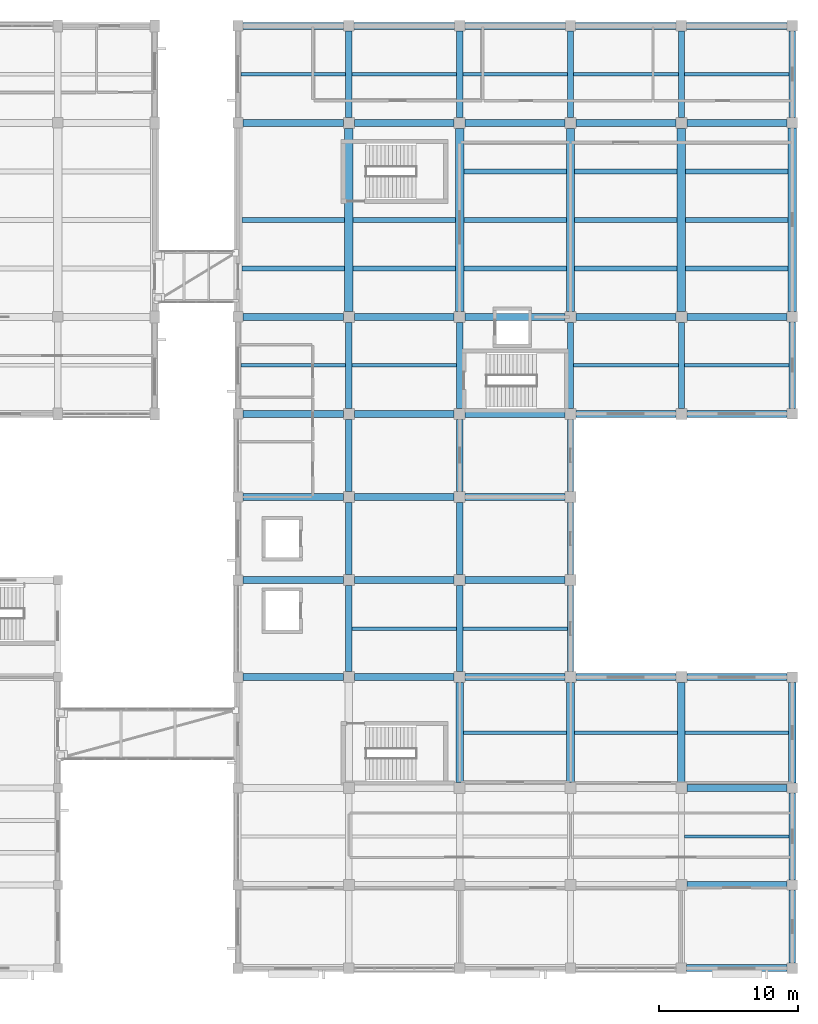
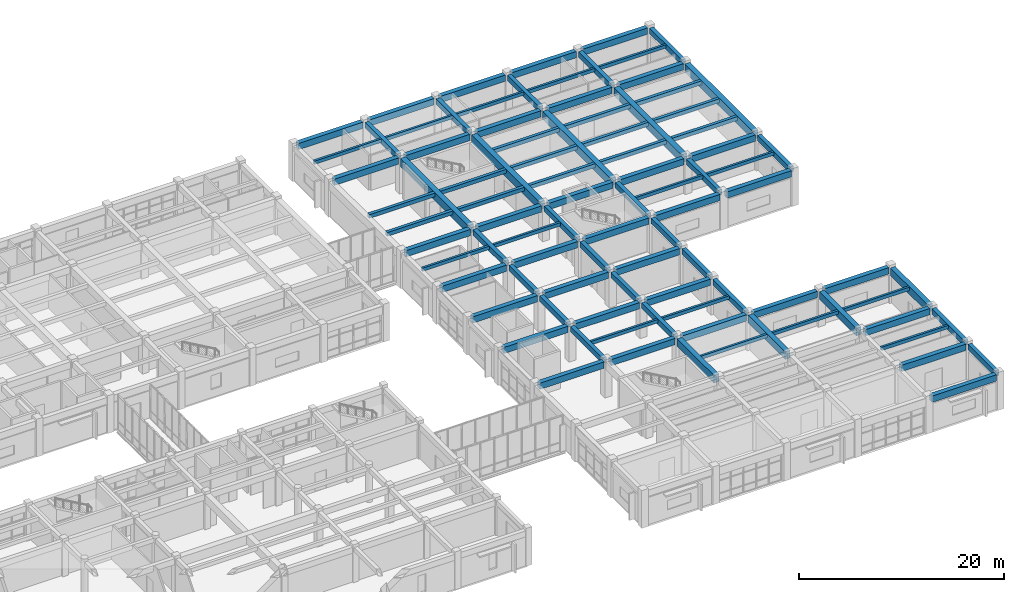
# One storey, part 35 of 70: 92 beams.
"""IFC4 building model written with IfcOpenShell, lengths in metres."""

from ifc_helpers import new_model, si_unit, direction, frame, origin, origin_2d, place, context, subcontext, project, spatial, rectangle, extrude, material, material_profile, profile_set, type_object, element, save


model = new_model("IFC4")

# Units and contexts
model_context = context("Model", 3, precision=1e-05, world=origin(), true_north=direction((0.0, 1.0)))
body_context = subcontext(model_context, "Body", "Model", "MODEL_VIEW")
ifc_project = project(units=[si_unit("LENGTHUNIT", "METRE"), si_unit("AREAUNIT", "SQUARE_METRE"), si_unit("VOLUMEUNIT", "CUBIC_METRE"), si_unit("PLANEANGLEUNIT", "RADIAN"), si_unit("MASSUNIT", "GRAM", prefix="KILO")], contexts=[model_context])

# Site, building, storey
site_placement = place(None, origin())
site = spatial("IfcSite", under=ifc_project, at=site_placement, CompositionType="ELEMENT")
building_placement = place(site_placement, origin())
building = spatial("IfcBuilding", under=site, at=building_placement, Name="Naurynzar Civic Courthouse", CompositionType="ELEMENT")
storey_placement = place(building_placement, frame((0.0, 0.0, 5.39990234375)))
storey = spatial("IfcBuildingStorey", under=building, at=storey_placement, Name="L02", CompositionType="ELEMENT", Elevation=5.39990234375)

# Beams
ifc_material_1 = material(Name="Concrete C40/50", Category="concrete")
ifc_material_profile_1 = material_profile(ifc_material_1, rectangle(XDim=0.25, YDim=0.39990234375, at=origin_2d()), Name="RCB 250x400")
ifc_profile_set_1 = profile_set([ifc_material_profile_1], Name="Concrete C40/50")
beam_type_1 = type_object("IfcBeamType", Name="BM-JST-250x400", PredefinedType="JOIST", material=ifc_profile_set_1)
beam_1_placement = place(storey_placement, frame((162.22509765625, 13.5, 4.0), z_axis=(1.0, 0.0, 0.0), x_axis=(0.0, 1.0, 0.0)))
element("IfcBeam", 1, at=beam_1_placement, inside=storey, type_object=beam_type_1, Name="V5 secondary rib 2349 L02", PredefinedType="JOIST", context=body_context, shape_type="SweptSolid", body=[
    extrude(rectangle(XDim=0.25, YDim=0.39990234375, at=origin_2d()), origin(), (0.0, 0.0, 1.0), 7.5498046875),
])
for number, where, z_axis, x_axis, name in (
    (2, (146.27490234375, 21.0, 4.0), (1.0, 0.0, 0.0), (0.0, 1.0, 0.0), "V5 secondary rib 2350 L02"),
    (3, (154.27490234375, 21.0, 4.0), (1.0, 0.0, 0.0), (0.0, 1.0, 0.0), "V5 secondary rib 2351 L02"),
    (4, (162.27490234375, 21.0, 4.0), (1.0, 0.0, 0.0), (0.0, 1.0, 0.0), "V5 secondary rib 2352 L02"),
):
    element("IfcBeam", number, at=place(storey_placement, frame(where, z_axis=z_axis, x_axis=x_axis)), inside=storey, type_object=beam_type_1, Name=name, PredefinedType="JOIST", context=body_context, shape_type="SweptSolid", body=[
        extrude(rectangle(XDim=0.25, YDim=0.39990234375, at=origin_2d()), origin(), (0.0, 0.0, 1.0), 7.4501953125),
    ])
for number, where, z_axis, x_axis, name in (
    (5, (138.22509765625, 28.5, 4.0), (1.0, 0.0, 0.0), (0.0, 1.0, 0.0), "V5 secondary rib 2353 L02"),
    (6, (146.22509765625, 28.5, 4.0), (1.0, 0.0, 0.0), (0.0, 1.0, 0.0), "V5 secondary rib 2354 L02"),
    (7, (130.22509765625, 47.5, 4.0), (1.0, 0.0, 0.0), (0.0, 1.0, 0.0), "V5 secondary rib 2355 L02"),
    (8, (138.22509765625, 47.5, 4.0), (1.0, 0.0, 0.0), (0.0, 1.0, 0.0), "V5 secondary rib 2356 L02"),
    (9, (154.22509765625, 47.5, 4.0), (1.0, 0.0, 0.0), (0.0, 1.0, 0.0), "V5 secondary rib 2357 L02"),
    (10, (162.22509765625, 47.5, 4.0), (1.0, 0.0, 0.0), (0.0, 1.0, 0.0), "V5 secondary rib 2358 L02"),
    (11, (130.22509765625, 68.5, 4.0), (1.0, 0.0, 0.0), (0.0, 1.0, 0.0), "V5 secondary rib 2372 L02"),
    (12, (138.22509765625, 68.5, 4.0), (1.0, 0.0, 0.0), (0.0, 1.0, 0.0), "V5 secondary rib 2373 L02"),
    (13, (146.22509765625, 68.5, 4.0), (1.0, 0.0, 0.0), (0.0, 1.0, 0.0), "V5 secondary rib 2374 L02"),
    (14, (154.22509765625, 68.5, 4.0), (1.0, 0.0, 0.0), (0.0, 1.0, 0.0), "V5 secondary rib 2375 L02"),
    (15, (162.22509765625, 68.5, 4.0), (1.0, 0.0, 0.0), (0.0, 1.0, 0.0), "V5 secondary rib 2376 L02"),
):
    element("IfcBeam", number, at=place(storey_placement, frame(where, z_axis=z_axis, x_axis=x_axis)), inside=storey, type_object=beam_type_1, Name=name, PredefinedType="JOIST", context=body_context, shape_type="SweptSolid", body=[
        extrude(rectangle(XDim=0.25, YDim=0.39990234375, at=origin_2d()), origin(), (0.0, 0.0, 1.0), 7.5498046875),
    ])
ifc_material_2 = material(Name="Concrete C40/50", Category="concrete")
ifc_material_profile_2 = material_profile(ifc_material_2, rectangle(XDim=0.60009765625, YDim=0.949951171875, at=origin_2d()), Name="PTB 600x950")
ifc_profile_set_2 = profile_set([ifc_material_profile_2], Name="Concrete C40/50")
beam_type_2 = type_object("IfcBeamType", Name="BM-PT-600x950", PredefinedType="T_BEAM", material=ifc_profile_set_2)
for number, where, z_axis, x_axis, name in (
    (16, (138.0, 51.39990234375, 3.72509765625), (0.0, 1.0, 0.0), (-1.0, 0.0, 0.0), "V5 girder Y-2313 L02"),
    (17, (146.0, 51.39990234375, 3.72509765625), (0.0, 1.0, 0.0), (-1.0, 0.0, 0.0), "V5 girder Y-2322 L02"),
    (18, (154.0, 51.39990234375, 3.72509765625), (0.0, 1.0, 0.0), (-1.0, 0.0, 0.0), "V5 girder Y-2331 L02"),
    (19, (162.0, 51.39990234375, 3.72509765625), (0.0, 1.0, 0.0), (-1.0, 0.0, 0.0), "V5 girder Y-2337 L02"),
):
    element("IfcBeam", number, at=place(storey_placement, frame(where, z_axis=z_axis, x_axis=x_axis)), inside=storey, type_object=beam_type_2, Name=name, PredefinedType="T_BEAM", context=body_context, shape_type="SweptSolid", body=[
        extrude(rectangle(XDim=0.60009765625, YDim=0.949951171875, at=origin_2d()), origin(), (0.0, 0.0, 1.0), 13.2001953125),
    ])
beam_2_placement = place(storey_placement, frame((170.0, 51.375, 3.72509765625), z_axis=(0.0, 1.0, 0.0), x_axis=(-1.0, 0.0, 0.0)))
element("IfcBeam", 20, at=beam_2_placement, inside=storey, type_object=beam_type_2, Name="V5 girder Y-2343 L02", PredefinedType="T_BEAM", context=body_context, shape_type="SweptSolid", body=[
    extrude(rectangle(XDim=0.60009765625, YDim=0.949951171875, at=origin_2d()), origin(), (0.0, 0.0, 1.0), 13.25),
])
ifc_material_3 = material(Name="Concrete C40/50", Category="concrete")
ifc_material_profile_3 = material_profile(ifc_material_3, rectangle(XDim=0.35009765625, YDim=0.449951171875, at=origin_2d()), Name="RCB 350x450")
ifc_profile_set_3 = profile_set([ifc_material_profile_3], Name="Concrete C40/50")
beam_type_3 = type_object("IfcBeamType", Name="BM-RC-350x450", PredefinedType="BEAM", material=ifc_profile_set_3)
for number, where, z_axis, x_axis, name in (
    (21, (130.300048828125, 54.5, 3.97509765625), (1.0, 0.0, 0.0), (0.0, 1.0, 0.0), "V5 secondary rib 2359 L02"),
    (22, (130.300048828125, 58.0, 3.97509765625), (1.0, 0.0, 0.0), (0.0, 1.0, 0.0), "V5 secondary rib 2360 L02"),
    (23, (138.300048828125, 54.5, 3.97509765625), (1.0, 0.0, 0.0), (0.0, 1.0, 0.0), "V5 secondary rib 2361 L02"),
    (24, (138.300048828125, 58.0, 3.97509765625), (1.0, 0.0, 0.0), (0.0, 1.0, 0.0), "V5 secondary rib 2362 L02"),
    (25, (146.300048828125, 54.5, 3.97509765625), (1.0, 0.0, 0.0), (0.0, 1.0, 0.0), "V5 secondary rib 2363 L02"),
    (26, (146.300048828125, 58.0, 3.97509765625), (1.0, 0.0, 0.0), (0.0, 1.0, 0.0), "V5 secondary rib 2364 L02"),
    (27, (146.300048828125, 61.5, 3.97509765625), (1.0, 0.0, 0.0), (0.0, 1.0, 0.0), "V5 secondary rib 2365 L02"),
    (28, (154.300048828125, 54.5, 3.97509765625), (1.0, 0.0, 0.0), (0.0, 1.0, 0.0), "V5 secondary rib 2366 L02"),
    (29, (154.300048828125, 58.0, 3.97509765625), (1.0, 0.0, 0.0), (0.0, 1.0, 0.0), "V5 secondary rib 2367 L02"),
    (30, (154.300048828125, 61.5, 3.97509765625), (1.0, 0.0, 0.0), (0.0, 1.0, 0.0), "V5 secondary rib 2368 L02"),
    (31, (162.300048828125, 54.5, 3.97509765625), (1.0, 0.0, 0.0), (0.0, 1.0, 0.0), "V5 secondary rib 2369 L02"),
    (32, (162.300048828125, 58.0, 3.97509765625), (1.0, 0.0, 0.0), (0.0, 1.0, 0.0), "V5 secondary rib 2370 L02"),
    (33, (162.300048828125, 61.5, 3.97509765625), (1.0, 0.0, 0.0), (0.0, 1.0, 0.0), "V5 secondary rib 2371 L02"),
):
    element("IfcBeam", number, at=place(storey_placement, frame(where, z_axis=z_axis, x_axis=x_axis)), inside=storey, type_object=beam_type_3, Name=name, PredefinedType="BEAM", context=body_context, shape_type="SweptSolid", body=[
        extrude(rectangle(XDim=0.35009765625, YDim=0.449951171875, at=origin_2d()), origin(), (0.0, 0.0, 1.0), 7.39990234375),
    ])
ifc_material_4 = material(Name="Concrete C40/50", Category="concrete")
ifc_material_profile_4 = material_profile(ifc_material_4, rectangle(XDim=0.449951171875, YDim=0.64990234375, at=origin_2d()), Name="RCB 450x650")
ifc_profile_set_4 = profile_set([ifc_material_profile_4], Name="Concrete C40/50")
beam_type_4 = type_object("IfcBeamType", Name="BM-RC-450x650", PredefinedType="BEAM", material=ifc_profile_set_4)
beam_3_placement = place(storey_placement, frame((138.0, 25.39990234375, 3.875), z_axis=(0.0, 1.0, 0.0), x_axis=(-1.0, 0.0, 0.0)))
element("IfcBeam", 34, at=beam_3_placement, inside=storey, type_object=beam_type_4, Name="V5 girder Y-2309 L02", PredefinedType="BEAM", context=body_context, shape_type="SweptSolid", body=[
    extrude(rectangle(XDim=0.449951171875, YDim=0.64990234375, at=origin_2d()), origin(), (0.0, 0.0, 1.0), 6.2001953125),
])
for number, where, z_axis, x_axis, name in (
    (35, (138.0, 32.39990234375, 3.875), (0.0, 1.0, 0.0), (-1.0, 0.0, 0.0), "V5 girder Y-2310 L02"),
    (36, (138.0, 38.39990234375, 3.875), (0.0, 1.0, 0.0), (-1.0, 0.0, 0.0), "V5 girder Y-2311 L02"),
):
    element("IfcBeam", number, at=place(storey_placement, frame(where, z_axis=z_axis, x_axis=x_axis)), inside=storey, type_object=beam_type_4, Name=name, PredefinedType="BEAM", context=body_context, shape_type="SweptSolid", body=[
        extrude(rectangle(XDim=0.449951171875, YDim=0.64990234375, at=origin_2d()), origin(), (0.0, 0.0, 1.0), 5.2001953125),
    ])
beam_4_placement = place(storey_placement, frame((138.0, 44.39990234375, 3.875), z_axis=(0.0, 1.0, 0.0), x_axis=(-1.0, 0.0, 0.0)))
element("IfcBeam", 37, at=beam_4_placement, inside=storey, type_object=beam_type_4, Name="V5 girder Y-2312 L02", PredefinedType="BEAM", context=body_context, shape_type="SweptSolid", body=[
    extrude(rectangle(XDim=0.449951171875, YDim=0.64990234375, at=origin_2d()), origin(), (0.0, 0.0, 1.0), 6.2001953125),
])
beam_5_placement = place(storey_placement, frame((138.0, 65.39990234375, 3.875), z_axis=(0.0, 1.0, 0.0), x_axis=(-1.0, 0.0, 0.0)))
element("IfcBeam", 38, at=beam_5_placement, inside=storey, type_object=beam_type_4, Name="V5 girder Y-2314 L02", PredefinedType="BEAM", context=body_context, shape_type="SweptSolid", body=[
    extrude(rectangle(XDim=0.449951171875, YDim=0.64990234375, at=origin_2d()), origin(), (0.0, 0.0, 1.0), 6.22509765625),
])
beam_6_placement = place(storey_placement, frame((146.0, 25.39990234375, 3.875), z_axis=(0.0, 1.0, 0.0), x_axis=(-1.0, 0.0, 0.0)))
element("IfcBeam", 39, at=beam_6_placement, inside=storey, type_object=beam_type_4, Name="V5 girder Y-2318 L02", PredefinedType="BEAM", context=body_context, shape_type="SweptSolid", body=[
    extrude(rectangle(XDim=0.449951171875, YDim=0.64990234375, at=origin_2d()), origin(), (0.0, 0.0, 1.0), 6.2001953125),
])
for number, where, z_axis, x_axis, name in (
    (40, (146.0, 32.39990234375, 3.875), (0.0, 1.0, 0.0), (-1.0, 0.0, 0.0), "V5 girder Y-2319 L02"),
    (41, (146.0, 38.39990234375, 3.875), (0.0, 1.0, 0.0), (-1.0, 0.0, 0.0), "V5 girder Y-2320 L02"),
):
    element("IfcBeam", number, at=place(storey_placement, frame(where, z_axis=z_axis, x_axis=x_axis)), inside=storey, type_object=beam_type_4, Name=name, PredefinedType="BEAM", context=body_context, shape_type="SweptSolid", body=[
        extrude(rectangle(XDim=0.449951171875, YDim=0.64990234375, at=origin_2d()), origin(), (0.0, 0.0, 1.0), 5.2001953125),
    ])
beam_7_placement = place(storey_placement, frame((146.0, 44.39990234375, 3.875), z_axis=(0.0, 1.0, 0.0), x_axis=(-1.0, 0.0, 0.0)))
element("IfcBeam", 42, at=beam_7_placement, inside=storey, type_object=beam_type_4, Name="V5 girder Y-2321 L02", PredefinedType="BEAM", context=body_context, shape_type="SweptSolid", body=[
    extrude(rectangle(XDim=0.449951171875, YDim=0.64990234375, at=origin_2d()), origin(), (0.0, 0.0, 1.0), 6.2001953125),
])
beam_8_placement = place(storey_placement, frame((146.0, 65.39990234375, 3.875), z_axis=(0.0, 1.0, 0.0), x_axis=(-1.0, 0.0, 0.0)))
element("IfcBeam", 43, at=beam_8_placement, inside=storey, type_object=beam_type_4, Name="V5 girder Y-2323 L02", PredefinedType="BEAM", context=body_context, shape_type="SweptSolid", body=[
    extrude(rectangle(XDim=0.449951171875, YDim=0.64990234375, at=origin_2d()), origin(), (0.0, 0.0, 1.0), 6.22509765625),
])
beam_9_placement = place(storey_placement, frame((154.0, 25.39990234375, 3.875), z_axis=(0.0, 1.0, 0.0), x_axis=(-1.0, 0.0, 0.0)))
element("IfcBeam", 44, at=beam_9_placement, inside=storey, type_object=beam_type_4, Name="V5 girder Y-2327 L02", PredefinedType="BEAM", context=body_context, shape_type="SweptSolid", body=[
    extrude(rectangle(XDim=0.449951171875, YDim=0.64990234375, at=origin_2d()), origin(), (0.0, 0.0, 1.0), 6.2001953125),
])
for number, where, z_axis, x_axis, name in (
    (45, (154.0, 32.39990234375, 3.875), (0.0, 1.0, 0.0), (-1.0, 0.0, 0.0), "V5 girder Y-2328 L02"),
    (46, (154.0, 38.39990234375, 3.875), (0.0, 1.0, 0.0), (-1.0, 0.0, 0.0), "V5 girder Y-2329 L02"),
):
    element("IfcBeam", number, at=place(storey_placement, frame(where, z_axis=z_axis, x_axis=x_axis)), inside=storey, type_object=beam_type_4, Name=name, PredefinedType="BEAM", context=body_context, shape_type="SweptSolid", body=[
        extrude(rectangle(XDim=0.449951171875, YDim=0.64990234375, at=origin_2d()), origin(), (0.0, 0.0, 1.0), 5.2001953125),
    ])
beam_10_placement = place(storey_placement, frame((154.0, 44.39990234375, 3.875), z_axis=(0.0, 1.0, 0.0), x_axis=(-1.0, 0.0, 0.0)))
element("IfcBeam", 47, at=beam_10_placement, inside=storey, type_object=beam_type_4, Name="V5 girder Y-2330 L02", PredefinedType="BEAM", context=body_context, shape_type="SweptSolid", body=[
    extrude(rectangle(XDim=0.449951171875, YDim=0.64990234375, at=origin_2d()), origin(), (0.0, 0.0, 1.0), 6.2001953125),
])
beam_11_placement = place(storey_placement, frame((154.0, 65.39990234375, 3.875), z_axis=(0.0, 1.0, 0.0), x_axis=(-1.0, 0.0, 0.0)))
element("IfcBeam", 48, at=beam_11_placement, inside=storey, type_object=beam_type_4, Name="V5 girder Y-2332 L02", PredefinedType="BEAM", context=body_context, shape_type="SweptSolid", body=[
    extrude(rectangle(XDim=0.449951171875, YDim=0.64990234375, at=origin_2d()), origin(), (0.0, 0.0, 1.0), 6.22509765625),
])
beam_12_placement = place(storey_placement, frame((162.0, 44.39990234375, 3.875), z_axis=(0.0, 1.0, 0.0), x_axis=(-1.0, 0.0, 0.0)))
element("IfcBeam", 49, at=beam_12_placement, inside=storey, type_object=beam_type_4, Name="V5 girder Y-2336 L02", PredefinedType="BEAM", context=body_context, shape_type="SweptSolid", body=[
    extrude(rectangle(XDim=0.449951171875, YDim=0.64990234375, at=origin_2d()), origin(), (0.0, 0.0, 1.0), 6.2001953125),
])
beam_13_placement = place(storey_placement, frame((162.0, 65.39990234375, 3.875), z_axis=(0.0, 1.0, 0.0), x_axis=(-1.0, 0.0, 0.0)))
element("IfcBeam", 50, at=beam_13_placement, inside=storey, type_object=beam_type_4, Name="V5 girder Y-2338 L02", PredefinedType="BEAM", context=body_context, shape_type="SweptSolid", body=[
    extrude(rectangle(XDim=0.449951171875, YDim=0.64990234375, at=origin_2d()), origin(), (0.0, 0.0, 1.0), 6.22509765625),
])
beam_14_placement = place(storey_placement, frame((170.0, 4.375, 3.875), z_axis=(0.0, 1.0, 0.0), x_axis=(-1.0, 0.0, 0.0)))
element("IfcBeam", 51, at=beam_14_placement, inside=storey, type_object=beam_type_4, Name="V5 girder Y-2339 L02", PredefinedType="BEAM", context=body_context, shape_type="SweptSolid", body=[
    extrude(rectangle(XDim=0.449951171875, YDim=0.64990234375, at=origin_2d()), origin(), (0.0, 0.0, 1.0), 5.25),
])
for number, where, z_axis, x_axis, name in (
    (52, (170.0, 10.375, 3.875), (0.0, 1.0, 0.0), (-1.0, 0.0, 0.0), "V5 girder Y-2340 L02"),
    (53, (170.0, 44.375, 3.875), (0.0, 1.0, 0.0), (-1.0, 0.0, 0.0), "V5 girder Y-2342 L02"),
    (54, (170.0, 65.375, 3.875), (0.0, 1.0, 0.0), (-1.0, 0.0, 0.0), "V5 girder Y-2344 L02"),
):
    element("IfcBeam", number, at=place(storey_placement, frame(where, z_axis=z_axis, x_axis=x_axis)), inside=storey, type_object=beam_type_4, Name=name, PredefinedType="BEAM", context=body_context, shape_type="SweptSolid", body=[
        extrude(rectangle(XDim=0.449951171875, YDim=0.64990234375, at=origin_2d()), origin(), (0.0, 0.0, 1.0), 6.25),
    ])
ifc_material_5 = material(Name="Concrete C40/50", Category="concrete")
ifc_material_profile_5 = material_profile(ifc_material_5, rectangle(XDim=0.5, YDim=0.75, at=origin_2d()), Name="RCB 500x750")
ifc_profile_set_5 = profile_set([ifc_material_profile_5], Name="Concrete C40/50")
beam_type_5 = type_object("IfcBeamType", Name="BM-RC-500x750", PredefinedType="BEAM", material=ifc_profile_set_5)
beam_15_placement = place(storey_placement, frame((162.375, 4.0, 3.8251953125), z_axis=(1.0, 0.0, 0.0), x_axis=(0.0, 1.0, 0.0)))
element("IfcBeam", 55, at=beam_15_placement, inside=storey, type_object=beam_type_5, Name="V5 beam X-2255 L02", PredefinedType="BEAM", context=body_context, shape_type="SweptSolid", body=[
    extrude(rectangle(XDim=0.5, YDim=0.75, at=origin_2d()), origin(), (0.0, 0.0, 1.0), 7.25),
])
for number, where, z_axis, x_axis, name in (
    (56, (162.39990234375, 10.0, 3.8251953125), (1.0, 0.0, 0.0), (0.0, 1.0, 0.0), "V5 beam X-2260 L02"),
    (57, (162.39990234375, 17.0, 3.8251953125), (1.0, 0.0, 0.0), (0.0, 1.0, 0.0), "V5 beam X-2265 L02"),
    (58, (130.375, 25.0, 3.8251953125), (1.0, 0.0, 0.0), (0.0, 1.0, 0.0), "V5 beam X-2266 L02"),
):
    element("IfcBeam", number, at=place(storey_placement, frame(where, z_axis=z_axis, x_axis=x_axis)), inside=storey, type_object=beam_type_5, Name=name, PredefinedType="BEAM", context=body_context, shape_type="SweptSolid", body=[
        extrude(rectangle(XDim=0.5, YDim=0.75, at=origin_2d()), origin(), (0.0, 0.0, 1.0), 7.22509765625),
    ])
for number, where, z_axis, x_axis, name in (
    (59, (138.39990234375, 25.0, 3.8251953125), (1.0, 0.0, 0.0), (0.0, 1.0, 0.0), "V5 beam X-2267 L02"),
    (60, (146.39990234375, 25.0, 3.8251953125), (1.0, 0.0, 0.0), (0.0, 1.0, 0.0), "V5 beam X-2268 L02"),
    (61, (154.39990234375, 25.0, 3.8251953125), (1.0, 0.0, 0.0), (0.0, 1.0, 0.0), "V5 beam X-2269 L02"),
):
    element("IfcBeam", number, at=place(storey_placement, frame(where, z_axis=z_axis, x_axis=x_axis)), inside=storey, type_object=beam_type_5, Name=name, PredefinedType="BEAM", context=body_context, shape_type="SweptSolid", body=[
        extrude(rectangle(XDim=0.5, YDim=0.75, at=origin_2d()), origin(), (0.0, 0.0, 1.0), 7.2001953125),
    ])
for number, where, z_axis, x_axis, name in (
    (62, (162.39990234375, 25.0, 3.8251953125), (1.0, 0.0, 0.0), (0.0, 1.0, 0.0), "V5 beam X-2270 L02"),
    (63, (130.375, 32.0, 3.8251953125), (1.0, 0.0, 0.0), (0.0, 1.0, 0.0), "V5 beam X-2271 L02"),
):
    element("IfcBeam", number, at=place(storey_placement, frame(where, z_axis=z_axis, x_axis=x_axis)), inside=storey, type_object=beam_type_5, Name=name, PredefinedType="BEAM", context=body_context, shape_type="SweptSolid", body=[
        extrude(rectangle(XDim=0.5, YDim=0.75, at=origin_2d()), origin(), (0.0, 0.0, 1.0), 7.22509765625),
    ])
for number, where, z_axis, x_axis, name in (
    (64, (138.39990234375, 32.0, 3.8251953125), (1.0, 0.0, 0.0), (0.0, 1.0, 0.0), "V5 beam X-2272 L02"),
    (65, (146.39990234375, 32.0, 3.8251953125), (1.0, 0.0, 0.0), (0.0, 1.0, 0.0), "V5 beam X-2273 L02"),
):
    element("IfcBeam", number, at=place(storey_placement, frame(where, z_axis=z_axis, x_axis=x_axis)), inside=storey, type_object=beam_type_5, Name=name, PredefinedType="BEAM", context=body_context, shape_type="SweptSolid", body=[
        extrude(rectangle(XDim=0.5, YDim=0.75, at=origin_2d()), origin(), (0.0, 0.0, 1.0), 7.2001953125),
    ])
beam_16_placement = place(storey_placement, frame((130.375, 38.0, 3.8251953125), z_axis=(1.0, 0.0, 0.0), x_axis=(0.0, 1.0, 0.0)))
element("IfcBeam", 66, at=beam_16_placement, inside=storey, type_object=beam_type_5, Name="V5 beam X-2274 L02", PredefinedType="BEAM", context=body_context, shape_type="SweptSolid", body=[
    extrude(rectangle(XDim=0.5, YDim=0.75, at=origin_2d()), origin(), (0.0, 0.0, 1.0), 7.22509765625),
])
for number, where, z_axis, x_axis, name in (
    (67, (138.39990234375, 38.0, 3.8251953125), (1.0, 0.0, 0.0), (0.0, 1.0, 0.0), "V5 beam X-2275 L02"),
    (68, (146.39990234375, 38.0, 3.8251953125), (1.0, 0.0, 0.0), (0.0, 1.0, 0.0), "V5 beam X-2276 L02"),
):
    element("IfcBeam", number, at=place(storey_placement, frame(where, z_axis=z_axis, x_axis=x_axis)), inside=storey, type_object=beam_type_5, Name=name, PredefinedType="BEAM", context=body_context, shape_type="SweptSolid", body=[
        extrude(rectangle(XDim=0.5, YDim=0.75, at=origin_2d()), origin(), (0.0, 0.0, 1.0), 7.2001953125),
    ])
beam_17_placement = place(storey_placement, frame((130.375, 44.0, 3.8251953125), z_axis=(1.0, 0.0, 0.0), x_axis=(0.0, 1.0, 0.0)))
element("IfcBeam", 69, at=beam_17_placement, inside=storey, type_object=beam_type_5, Name="V5 beam X-2277 L02", PredefinedType="BEAM", context=body_context, shape_type="SweptSolid", body=[
    extrude(rectangle(XDim=0.5, YDim=0.75, at=origin_2d()), origin(), (0.0, 0.0, 1.0), 7.22509765625),
])
for number, where, z_axis, x_axis, name in (
    (70, (138.39990234375, 44.0, 3.8251953125), (1.0, 0.0, 0.0), (0.0, 1.0, 0.0), "V5 beam X-2278 L02"),
    (71, (146.39990234375, 44.0, 3.8251953125), (1.0, 0.0, 0.0), (0.0, 1.0, 0.0), "V5 beam X-2279 L02"),
    (72, (154.39990234375, 44.0, 3.8251953125), (1.0, 0.0, 0.0), (0.0, 1.0, 0.0), "V5 beam X-2280 L02"),
):
    element("IfcBeam", number, at=place(storey_placement, frame(where, z_axis=z_axis, x_axis=x_axis)), inside=storey, type_object=beam_type_5, Name=name, PredefinedType="BEAM", context=body_context, shape_type="SweptSolid", body=[
        extrude(rectangle(XDim=0.5, YDim=0.75, at=origin_2d()), origin(), (0.0, 0.0, 1.0), 7.2001953125),
    ])
for number, where, z_axis, x_axis, name in (
    (73, (162.39990234375, 44.0, 3.8251953125), (1.0, 0.0, 0.0), (0.0, 1.0, 0.0), "V5 beam X-2281 L02"),
    (74, (130.375, 51.0, 3.8251953125), (1.0, 0.0, 0.0), (0.0, 1.0, 0.0), "V5 beam X-2282 L02"),
):
    element("IfcBeam", number, at=place(storey_placement, frame(where, z_axis=z_axis, x_axis=x_axis)), inside=storey, type_object=beam_type_5, Name=name, PredefinedType="BEAM", context=body_context, shape_type="SweptSolid", body=[
        extrude(rectangle(XDim=0.5, YDim=0.75, at=origin_2d()), origin(), (0.0, 0.0, 1.0), 7.22509765625),
    ])
for number, where, z_axis, x_axis, name in (
    (75, (138.39990234375, 51.0, 3.8251953125), (1.0, 0.0, 0.0), (0.0, 1.0, 0.0), "V5 beam X-2283 L02"),
    (76, (146.39990234375, 51.0, 3.8251953125), (1.0, 0.0, 0.0), (0.0, 1.0, 0.0), "V5 beam X-2284 L02"),
    (77, (154.39990234375, 51.0, 3.8251953125), (1.0, 0.0, 0.0), (0.0, 1.0, 0.0), "V5 beam X-2285 L02"),
):
    element("IfcBeam", number, at=place(storey_placement, frame(where, z_axis=z_axis, x_axis=x_axis)), inside=storey, type_object=beam_type_5, Name=name, PredefinedType="BEAM", context=body_context, shape_type="SweptSolid", body=[
        extrude(rectangle(XDim=0.5, YDim=0.75, at=origin_2d()), origin(), (0.0, 0.0, 1.0), 7.2001953125),
    ])
for number, where, z_axis, x_axis, name in (
    (78, (162.39990234375, 51.0, 3.8251953125), (1.0, 0.0, 0.0), (0.0, 1.0, 0.0), "V5 beam X-2286 L02"),
    (79, (130.375, 65.0, 3.8251953125), (1.0, 0.0, 0.0), (0.0, 1.0, 0.0), "V5 beam X-2287 L02"),
):
    element("IfcBeam", number, at=place(storey_placement, frame(where, z_axis=z_axis, x_axis=x_axis)), inside=storey, type_object=beam_type_5, Name=name, PredefinedType="BEAM", context=body_context, shape_type="SweptSolid", body=[
        extrude(rectangle(XDim=0.5, YDim=0.75, at=origin_2d()), origin(), (0.0, 0.0, 1.0), 7.22509765625),
    ])
for number, where, z_axis, x_axis, name in (
    (80, (138.39990234375, 65.0, 3.8251953125), (1.0, 0.0, 0.0), (0.0, 1.0, 0.0), "V5 beam X-2288 L02"),
    (81, (146.39990234375, 65.0, 3.8251953125), (1.0, 0.0, 0.0), (0.0, 1.0, 0.0), "V5 beam X-2289 L02"),
    (82, (154.39990234375, 65.0, 3.8251953125), (1.0, 0.0, 0.0), (0.0, 1.0, 0.0), "V5 beam X-2290 L02"),
):
    element("IfcBeam", number, at=place(storey_placement, frame(where, z_axis=z_axis, x_axis=x_axis)), inside=storey, type_object=beam_type_5, Name=name, PredefinedType="BEAM", context=body_context, shape_type="SweptSolid", body=[
        extrude(rectangle(XDim=0.5, YDim=0.75, at=origin_2d()), origin(), (0.0, 0.0, 1.0), 7.2001953125),
    ])
beam_18_placement = place(storey_placement, frame((162.39990234375, 65.0, 3.8251953125), z_axis=(1.0, 0.0, 0.0), x_axis=(0.0, 1.0, 0.0)))
element("IfcBeam", 83, at=beam_18_placement, inside=storey, type_object=beam_type_5, Name="V5 beam X-2291 L02", PredefinedType="BEAM", context=body_context, shape_type="SweptSolid", body=[
    extrude(rectangle(XDim=0.5, YDim=0.75, at=origin_2d()), origin(), (0.0, 0.0, 1.0), 7.22509765625),
])
for number, where, z_axis, x_axis, name in (
    (84, (130.375, 72.0, 3.8251953125), (1.0, 0.0, 0.0), (0.0, 1.0, 0.0), "V5 beam X-2292 L02"),
    (85, (138.375, 72.0, 3.8251953125), (1.0, 0.0, 0.0), (0.0, 1.0, 0.0), "V5 beam X-2293 L02"),
    (86, (146.375, 72.0, 3.8251953125), (1.0, 0.0, 0.0), (0.0, 1.0, 0.0), "V5 beam X-2294 L02"),
    (87, (154.375, 72.0, 3.8251953125), (1.0, 0.0, 0.0), (0.0, 1.0, 0.0), "V5 beam X-2295 L02"),
    (88, (162.375, 72.0, 3.8251953125), (1.0, 0.0, 0.0), (0.0, 1.0, 0.0), "V5 beam X-2296 L02"),
):
    element("IfcBeam", number, at=place(storey_placement, frame(where, z_axis=z_axis, x_axis=x_axis)), inside=storey, type_object=beam_type_5, Name=name, PredefinedType="BEAM", context=body_context, shape_type="SweptSolid", body=[
        extrude(rectangle(XDim=0.5, YDim=0.75, at=origin_2d()), origin(), (0.0, 0.0, 1.0), 7.25),
    ])
ifc_material_6 = material(Name="Concrete C40/50", Category="concrete")
ifc_material_profile_6 = material_profile(ifc_material_6, rectangle(XDim=0.550048828125, YDim=0.89990234375, at=origin_2d()), Name="RCB 550x900")
ifc_profile_set_6 = profile_set([ifc_material_profile_6], Name="Concrete C40/50")
beam_type_6 = type_object("IfcBeamType", Name="BM-RC-550x900", PredefinedType="T_BEAM", material=ifc_profile_set_6)
for number, where, z_axis, x_axis, name in (
    (89, (146.0, 17.39990234375, 3.75), (0.0, 1.0, 0.0), (-1.0, 0.0, 0.0), "V5 girder Y-2317 L02"),
    (90, (154.0, 17.39990234375, 3.75), (0.0, 1.0, 0.0), (-1.0, 0.0, 0.0), "V5 girder Y-2326 L02"),
    (91, (162.0, 17.39990234375, 3.75), (0.0, 1.0, 0.0), (-1.0, 0.0, 0.0), "V5 girder Y-2335 L02"),
):
    element("IfcBeam", number, at=place(storey_placement, frame(where, z_axis=z_axis, x_axis=x_axis)), inside=storey, type_object=beam_type_6, Name=name, PredefinedType="T_BEAM", context=body_context, shape_type="SweptSolid", body=[
        extrude(rectangle(XDim=0.550048828125, YDim=0.89990234375, at=origin_2d()), origin(), (0.0, 0.0, 1.0), 7.2001953125),
    ])
beam_19_placement = place(storey_placement, frame((170.0, 17.375, 3.75), z_axis=(0.0, 1.0, 0.0), x_axis=(-1.0, 0.0, 0.0)))
element("IfcBeam", 92, at=beam_19_placement, inside=storey, type_object=beam_type_6, Name="V5 girder Y-2341 L02", PredefinedType="T_BEAM", context=body_context, shape_type="SweptSolid", body=[
    extrude(rectangle(XDim=0.550048828125, YDim=0.89990234375, at=origin_2d()), origin(), (0.0, 0.0, 1.0), 7.25),
])

save(model, "model.ifc")
